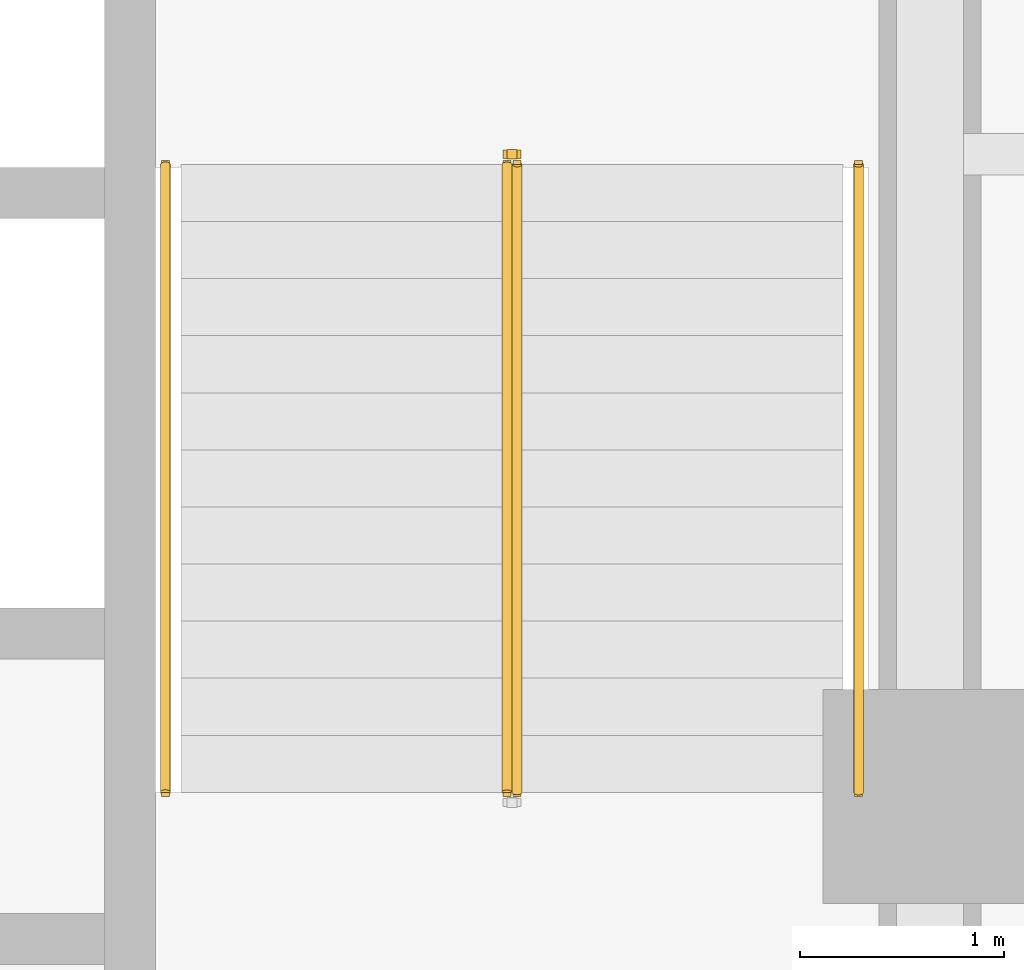
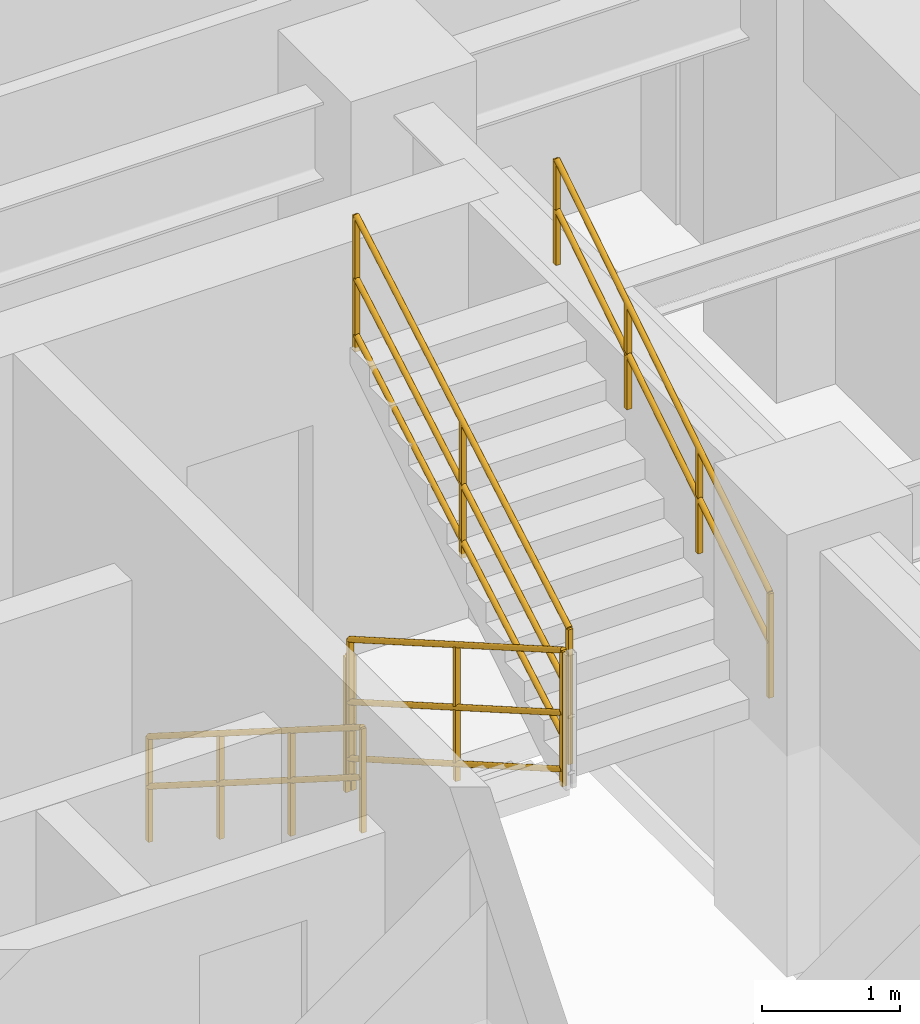
# One storey, part 9 of 10: 5 railings.
"""IFC4 building model written with IfcOpenShell, lengths in metres."""

from ifc_helpers import new_model, entity, si_unit, converted_unit, direction, frame, origin_with_axes, origin_2d_with_axis, place, context, subcontext, project, spatial, rectangle, circle, extrude, material, type_object, element, save


model = new_model("IFC4")

# Units and contexts
model_context = context("Model", 3, precision=1e-05, world=origin_with_axes(), true_north=direction((0.0, 1.0)))
body_context = subcontext(model_context, "Body", "Model", "MODEL_VIEW")
ifc_project = project(units=[si_unit("LENGTHUNIT", "METRE"), si_unit("AREAUNIT", "SQUARE_METRE"), si_unit("VOLUMEUNIT", "CUBIC_METRE"), converted_unit("PLANEANGLEUNIT", "DEGREE", entity("IfcPlaneAngleMeasure", 0.017453292519943295), si_unit("PLANEANGLEUNIT", "RADIAN"), dimensions=[0, 0, 0, 0, 0, 0, 0]), si_unit("MASSUNIT", "GRAM", prefix="KILO"), si_unit("THERMODYNAMICTEMPERATUREUNIT", "KELVIN")], contexts=[model_context])

# Site, building, storey
site_placement = place(None, origin_with_axes())
site = spatial("IfcSite", under=ifc_project, at=site_placement, CompositionType="ELEMENT")
building_placement = place(site_placement, origin_with_axes())
building = spatial("IfcBuilding", under=site, at=building_placement, Name="Varnlund Millrace Tower", CompositionType="ELEMENT")
storey_placement = place(building_placement, frame((0.0, 0.0, 156.3), z_axis=(0.0, 0.0, 1.0), x_axis=(1.0, 0.0, 0.0)))
storey = spatial("IfcBuildingStorey", under=building, at=storey_placement, Name="L38", CompositionType="ELEMENT", Elevation=156.3)

# Railings
ifc_material_1 = material(Name="Painted steel stair well balustrade guard", Category="steel")
railing_type_1 = type_object("IfcRailingType", Name="Type-StairGuard-1150", PredefinedType="GUARDRAIL", material=ifc_material_1)
railing_1_placement = place(storey_placement, frame((0.0, 0.0, -156.3), z_axis=(0.0, 0.0, 1.0), x_axis=(1.0, 0.0, 0.0)))
element("IfcRailing", 1, at=railing_1_placement, inside=storey, type_object=railing_type_1, Name="Type-StairGuard-1150", PredefinedType="GUARDRAIL", context=body_context, shape_type="SweptSolid", body=[
    extrude(circle(Radius=0.024, at=origin_2d_with_axis()), frame((45.975, 21.1, 157.627273), z_axis=(0.0, -0.866696, 0.498836), x_axis=(1.0, 0.0, 0.0)), (0.0, 0.0, 1.0), 3.553725),
    extrude(circle(Radius=0.024, at=origin_2d_with_axis()), frame((45.975, 21.1, 156.577273), z_axis=(0.0, -0.866696, 0.498836), x_axis=(1.0, 0.0, 0.0)), (0.0, 0.0, 1.0), 3.553725),
    extrude(circle(Radius=0.024, at=origin_2d_with_axis()), frame((45.975, 21.1, 157.075273), z_axis=(0.0, -0.866696, 0.498836), x_axis=(1.0, 0.0, 0.0)), (0.0, 0.0, 1.0), 3.553725),
    extrude(rectangle(XDim=0.04, YDim=0.04, at=origin_2d_with_axis()), frame((45.975, 21.1, 156.437273), z_axis=(0.0, 0.0, 1.0), x_axis=(1.0, 0.0, 0.0)), (0.0, 0.0, 1.0), 1.19),
    extrude(rectangle(XDim=0.04, YDim=0.04, at=origin_2d_with_axis()), frame((45.975, 19.56, 157.323636), z_axis=(0.0, 0.0, 1.0), x_axis=(1.0, 0.0, 0.0)), (0.0, 0.0, 1.0), 1.19),
    extrude(rectangle(XDim=0.04, YDim=0.04, at=origin_2d_with_axis()), frame((45.975, 18.02, 158.21), z_axis=(0.0, 0.0, 1.0), x_axis=(1.0, 0.0, 0.0)), (0.0, 0.0, 1.0), 1.19),
])
railing_2_placement = place(storey_placement, frame((0.0, 0.0, -156.3), z_axis=(0.0, 0.0, 1.0), x_axis=(1.0, 0.0, 0.0)))
element("IfcRailing", 2, at=railing_2_placement, inside=storey, type_object=railing_type_1, Name="Type-StairGuard-1150", PredefinedType="GUARDRAIL", context=body_context, shape_type="SweptSolid", body=[
    extrude(circle(Radius=0.024, at=origin_2d_with_axis()), frame((46.025, 18.02, 159.577273), z_axis=(0.0, 0.866696, 0.498836), x_axis=(-1.0, 0.0, 0.0)), (0.0, 0.0, 1.0), 3.553725),
    extrude(circle(Radius=0.024, at=origin_2d_with_axis()), frame((46.025, 18.02, 158.527273), z_axis=(0.0, 0.866696, 0.498836), x_axis=(-1.0, 0.0, 0.0)), (0.0, 0.0, 1.0), 3.553725),
    extrude(circle(Radius=0.024, at=origin_2d_with_axis()), frame((46.025, 18.02, 159.025273), z_axis=(0.0, 0.866696, 0.498836), x_axis=(-1.0, 0.0, 0.0)), (0.0, 0.0, 1.0), 3.553725),
    extrude(rectangle(XDim=0.04, YDim=0.04, at=origin_2d_with_axis()), frame((46.025, 18.02, 158.387273), z_axis=(0.0, 0.0, 1.0), x_axis=(1.0, 0.0, 0.0)), (0.0, 0.0, 1.0), 1.19),
    extrude(rectangle(XDim=0.04, YDim=0.04, at=origin_2d_with_axis()), frame((46.025, 19.56, 159.273637), z_axis=(0.0, 0.0, 1.0), x_axis=(1.0, 0.0, 0.0)), (0.0, 0.0, 1.0), 1.19),
    extrude(rectangle(XDim=0.04, YDim=0.04, at=origin_2d_with_axis()), frame((46.025, 21.1, 160.16), z_axis=(0.0, 0.0, 1.0), x_axis=(1.0, 0.0, 0.0)), (0.0, 0.0, 1.0), 1.19),
])
railing_3_placement = place(storey_placement, frame((0.0, 0.0, -156.3), z_axis=(0.0, 0.0, 1.0), x_axis=(1.0, 0.0, 0.0)))
element("IfcRailing", 3, at=railing_3_placement, inside=storey, type_object=railing_type_1, Name="Type-StairGuard-1150", PredefinedType="GUARDRAIL", context=body_context, shape_type="SweptSolid", body=[
    extrude(circle(Radius=0.024, at=origin_2d_with_axis()), frame((46.025, 21.15, 157.45), z_axis=(-1.0, 0.0, 0.0), x_axis=(0.0, -1.0, 0.0)), (0.0, 0.0, 1.0), 0.05),
    extrude(circle(Radius=0.024, at=origin_2d_with_axis()), frame((46.025, 21.15, 156.4), z_axis=(-1.0, 0.0, 0.0), x_axis=(0.0, -1.0, 0.0)), (0.0, 0.0, 1.0), 0.05),
    extrude(circle(Radius=0.024, at=origin_2d_with_axis()), frame((46.025, 21.15, 156.898), z_axis=(-1.0, 0.0, 0.0), x_axis=(0.0, -1.0, 0.0)), (0.0, 0.0, 1.0), 0.05),
    extrude(rectangle(XDim=0.04, YDim=0.04, at=origin_2d_with_axis()), frame((46.025, 21.15, 156.26), z_axis=(0.0, 0.0, 1.0), x_axis=(1.0, 0.0, 0.0)), (0.0, 0.0, 1.0), 1.19),
    extrude(rectangle(XDim=0.04, YDim=0.04, at=origin_2d_with_axis()), frame((45.975, 21.15, 156.26), z_axis=(0.0, 0.0, 1.0), x_axis=(1.0, 0.0, 0.0)), (0.0, 0.0, 1.0), 1.19),
])
ifc_material_2 = material(Name="Brushed architectural bronze stair handrail", Category="aluminium")
railing_type_2 = type_object("IfcRailingType", Name="Type-StairHandrail-900", PredefinedType="HANDRAIL", material=ifc_material_2)
railing_4_placement = place(storey_placement, frame((0.0, 0.0, -156.3), z_axis=(0.0, 0.0, 1.0), x_axis=(1.0, 0.0, 0.0)))
element("IfcRailing", 4, at=railing_4_placement, inside=storey, type_object=railing_type_2, Name="Type-StairHandrail-900", PredefinedType="HANDRAIL", context=body_context, shape_type="SweptSolid", body=[
    extrude(circle(Radius=0.024, at=origin_2d_with_axis()), frame((44.3, 21.1, 157.356995), z_axis=(0.0, -0.844902, 0.534922), x_axis=(1.0, 0.0, 0.0)), (0.0, 0.0, 1.0), 3.645394),
    extrude(circle(Radius=0.024, at=origin_2d_with_axis()), frame((44.3, 21.1, 156.917134), z_axis=(0.0, -0.844902, 0.534922), x_axis=(1.0, 0.0, 0.0)), (0.0, 0.0, 1.0), 3.645394),
    extrude(rectangle(XDim=0.04, YDim=0.04, at=origin_2d_with_axis()), frame((44.3, 21.1, 156.437273), z_axis=(0.0, 0.0, 1.0), x_axis=(1.0, 0.0, 0.0)), (0.0, 0.0, 1.0), 0.919722),
    extrude(rectangle(XDim=0.04, YDim=0.04, at=origin_2d_with_axis()), frame((44.3, 20.073333, 157.087273), z_axis=(0.0, 0.0, 1.0), x_axis=(1.0, 0.0, 0.0)), (0.0, 0.0, 1.0), 0.919722),
    extrude(rectangle(XDim=0.04, YDim=0.04, at=origin_2d_with_axis()), frame((44.3, 19.046667, 157.737273), z_axis=(0.0, 0.0, 1.0), x_axis=(1.0, 0.0, 0.0)), (0.0, 0.0, 1.0), 0.919722),
    extrude(rectangle(XDim=0.04, YDim=0.04, at=origin_2d_with_axis()), frame((44.3, 18.02, 158.387273), z_axis=(0.0, 0.0, 1.0), x_axis=(1.0, 0.0, 0.0)), (0.0, 0.0, 1.0), 0.919722),
])
railing_5_placement = place(storey_placement, frame((0.0, 0.0, -156.3), z_axis=(0.0, 0.0, 1.0), x_axis=(1.0, 0.0, 0.0)))
element("IfcRailing", 5, at=railing_5_placement, inside=storey, type_object=railing_type_2, Name="Type-StairHandrail-900", PredefinedType="HANDRAIL", context=body_context, shape_type="SweptSolid", body=[
    extrude(circle(Radius=0.024, at=origin_2d_with_axis()), frame((47.7, 18.02, 159.306995), z_axis=(0.0, 0.844902, 0.534922), x_axis=(-1.0, 0.0, 0.0)), (0.0, 0.0, 1.0), 3.645394),
    extrude(circle(Radius=0.024, at=origin_2d_with_axis()), frame((47.7, 18.02, 158.867134), z_axis=(0.0, 0.844902, 0.534922), x_axis=(-1.0, 0.0, 0.0)), (0.0, 0.0, 1.0), 3.645394),
    extrude(rectangle(XDim=0.04, YDim=0.04, at=origin_2d_with_axis()), frame((47.7, 18.02, 158.387273), z_axis=(0.0, 0.0, 1.0), x_axis=(1.0, 0.0, 0.0)), (0.0, 0.0, 1.0), 0.919722),
    extrude(rectangle(XDim=0.04, YDim=0.04, at=origin_2d_with_axis()), frame((47.7, 19.046667, 159.037273), z_axis=(0.0, 0.0, 1.0), x_axis=(1.0, 0.0, 0.0)), (0.0, 0.0, 1.0), 0.919722),
    extrude(rectangle(XDim=0.04, YDim=0.04, at=origin_2d_with_axis()), frame((47.7, 20.073333, 159.687273), z_axis=(0.0, 0.0, 1.0), x_axis=(1.0, 0.0, 0.0)), (0.0, 0.0, 1.0), 0.919722),
    extrude(rectangle(XDim=0.04, YDim=0.04, at=origin_2d_with_axis()), frame((47.7, 21.1, 160.337273), z_axis=(0.0, 0.0, 1.0), x_axis=(1.0, 0.0, 0.0)), (0.0, 0.0, 1.0), 0.919722),
])

save(model, "model.ifc")
